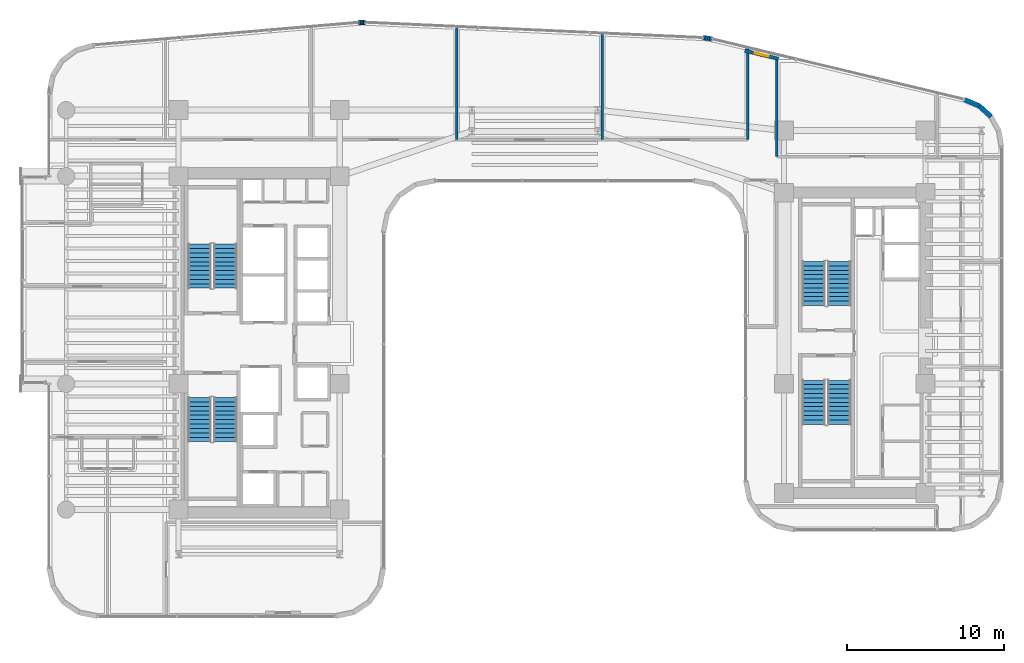
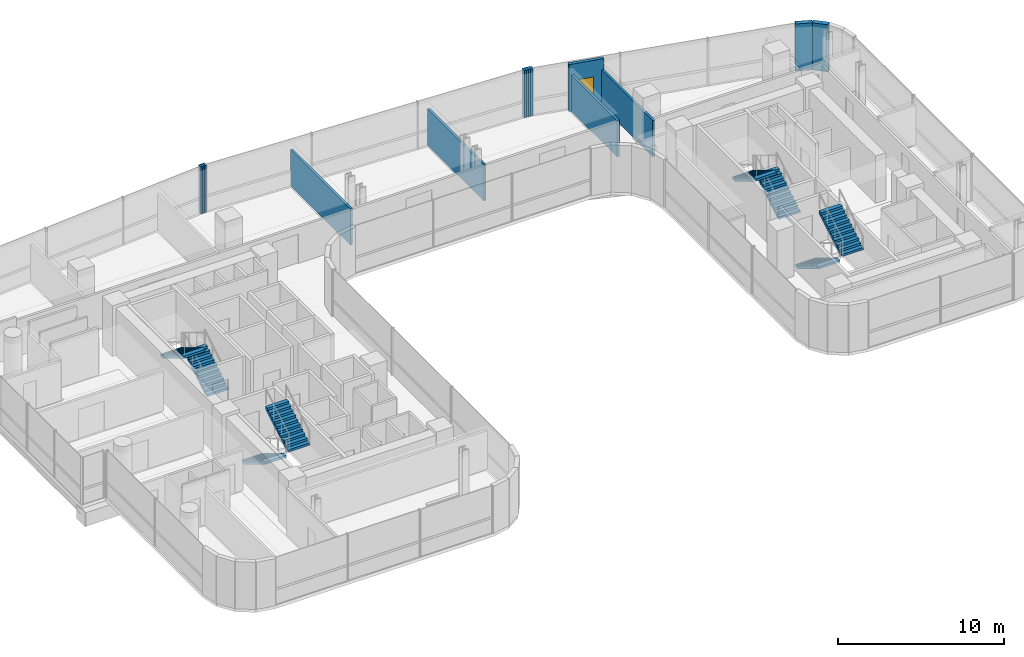
# One storey, part 30 of 35: 15 walls, 8 stair flights, 1 window, 1 opening, 4 elements without a shape of their own.
"""IFC4 building model written with IfcOpenShell, lengths in metres."""

from ifc_helpers import new_model, si_unit, direction, frame, frame_2d, origin, place, context, subcontext, project, spatial, polyline, rectangle, outline, extrude, material, layer, layer_set, type_object, element, fill, aggregate, save


model = new_model("IFC4")

# Units and contexts
model_context = context("Model", 3, precision=1e-05, world=origin(), true_north=direction((0.0, 1.0)))
body_context = subcontext(model_context, "Body", "Model", "MODEL_VIEW")
ifc_project = project(units=[si_unit("LENGTHUNIT", "METRE"), si_unit("AREAUNIT", "SQUARE_METRE"), si_unit("VOLUMEUNIT", "CUBIC_METRE"), si_unit("PLANEANGLEUNIT", "RADIAN"), si_unit("MASSUNIT", "GRAM", prefix="KILO")], contexts=[model_context])

# Site, building, storey
site_placement = place(None, origin())
site = spatial("IfcSite", under=ifc_project, at=site_placement, CompositionType="ELEMENT")
building_placement = place(site_placement, origin())
building = spatial("IfcBuilding", under=site, at=building_placement, Name="Valdorenza Pilgrim Sanctuary Tower", CompositionType="ELEMENT")
storey_placement = place(building_placement, frame((0.0, 0.0, 139.0)))
storey = spatial("IfcBuildingStorey", under=building, at=storey_placement, Name="L35", CompositionType="ELEMENT", Elevation=139.0)

# Walls
ifc_material_1 = material(Name="Acoustic twin-stud gypsum partition", Category="gypsum")
ifc_layer_1 = layer(ifc_material_1, 0.159912109375, Name="Acoustic twin-stud gypsum partition")
ifc_layer_set_1 = layer_set([ifc_layer_1], Name="Acoustic twin-stud gypsum partition")
wall_type_1 = type_object("IfcWallType", Name="WAL-COR-160", PredefinedType="PARTITIONING", material=ifc_layer_set_1)
wall_1_placement = place(storey_placement, frame((13.550048828125, 12.919921875, 0.0), z_axis=(0.0, 0.0, 1.0), x_axis=(0.0, 1.0, 0.0)))
element("IfcWall", 1, at=wall_1_placement, inside=storey, type_object=wall_type_1, Name="L35 North Band East Closure", PredefinedType="PARTITIONING", context=body_context, shape_type="SweptSolid", body=[
    extrude(rectangle(XDim=5.856689453125, YDim=0.159912109375, at=frame_2d((2.92822265625, 0.0))), origin(), (0.0, 0.0, 1.0), 2.666015625),
])
wall_2_placement = place(storey_placement, frame((15.39990234375, 11.85009765625, 0.0), z_axis=(0.0, 0.0, 1.0), x_axis=(0.0, 1.0, 0.0)))
element("IfcWall", 2, at=wall_2_placement, inside=storey, type_object=wall_type_1, Name="L35 Wing B North West Wall", PredefinedType="PARTITIONING", context=body_context, shape_type="SweptSolid", body=[
    extrude(rectangle(XDim=6.14990234375, YDim=0.159912109375, at=frame_2d((3.074951171875, 0.0))), origin(), (0.0, 0.0, 1.0), 2.666015625),
])
ifc_material_2 = material(Name="Honed travertine limestone", Category="masonry")
ifc_layer_2 = layer(ifc_material_2, 0.300048828125, Name="Honed travertine limestone")
ifc_layer_set_2 = layer_set([ifc_layer_2], Name="Honed travertine limestone")
wall_type_2 = type_object("IfcWallType", Name="WAL-EXT-300", PredefinedType="SOLIDWALL", material=ifc_layer_set_2)
wall_3_placement = place(storey_placement, frame((-11.199462890625, 20.37255859375, 0.0), z_axis=(0.0, 0.0, 1.0), x_axis=(0.997567332166, 0.069709524416, 0.0)))
element("IfcWall", 3, at=wall_3_placement, inside=storey, type_object=wall_type_2, Name="L35 Rounded Wind-Corner Stone Pier 7", PredefinedType="SOLIDWALL", context=body_context, shape_type="SweptSolid", body=[
    extrude(rectangle(XDim=0.1015625, YDim=0.300048828125, at=frame_2d((0.05078125, 0.0))), origin(), (0.0, 0.0, 1.0), 3.4599609375),
])
wall_4_placement = place(storey_placement, frame((-11.09814453125, 20.379638671875, 0.0), z_axis=(0.0, 0.0, 1.0), x_axis=(0.999334672785, 0.03647206835, 0.0)))
element("IfcWall", 4, at=wall_4_placement, inside=storey, type_object=wall_type_2, Name="L35 Rounded Wind-Corner Stone Pier 8", PredefinedType="SOLIDWALL", context=body_context, shape_type="SweptSolid", body=[
    extrude(rectangle(XDim=0.100341796875, YDim=0.300048828125, at=frame_2d((0.05029296875, 0.0))), origin(), (0.0, 0.0, 1.0), 3.4599609375),
])
wall_5_placement = place(storey_placement, frame((-10.997802734375, 20.38330078125, 0.0), z_axis=(0.0, 0.0, 1.0), x_axis=(0.999997054401, 0.002427177317, 0.0)))
element("IfcWall", 5, at=wall_5_placement, inside=storey, type_object=wall_type_2, Name="L35 Rounded Wind-Corner Stone Pier 9", PredefinedType="SOLIDWALL", context=body_context, shape_type="SweptSolid", body=[
    extrude(rectangle(XDim=0.1005859375, YDim=0.300048828125, at=frame_2d((0.05029296875, 0.0))), origin(), (0.0, 0.0, 1.0), 3.4599609375),
])
wall_6_placement = place(storey_placement, frame((-10.897216796875, 20.383544921875, 0.0), z_axis=(0.0, 0.0, 1.0), x_axis=(0.999584209171, -0.02883415988, 0.0)))
element("IfcWall", 6, at=wall_6_placement, inside=storey, type_object=wall_type_2, Name="L35 Rounded Wind-Corner Stone Pier 10", PredefinedType="SOLIDWALL", context=body_context, shape_type="SweptSolid", body=[
    extrude(rectangle(XDim=0.1015625, YDim=0.300048828125, at=frame_2d((0.05078125, 0.0))), origin(), (0.0, 0.0, 1.0), 3.4599609375),
])
wall_7_placement = place(storey_placement, frame((10.68994140625, 19.404052734375, 0.0), z_axis=(0.0, 0.0, 1.0), x_axis=(0.99758310784, -0.069483400546, 0.0)))
element("IfcWall", 7, at=wall_7_placement, inside=storey, type_object=wall_type_2, Name="L35 Rounded Wind-Corner Stone Pier 12", PredefinedType="SOLIDWALL", context=body_context, shape_type="SweptSolid", body=[
    extrude(rectangle(XDim=0.1474609375, YDim=0.300048828125, at=frame_2d((0.07373046875, 0.0))), origin(), (0.0, 0.0, 1.0), 3.4599609375),
])
for number, where, z_axis, x_axis, name in (
    (8, (10.837158203125, 19.393798828125, 0.0), (0.0, 0.0, 1.0), (0.993173334962, -0.116647874912, 0.0), "L35 Rounded Wind-Corner Stone Pier 13"),
    (9, (10.982666015625, 19.376708984375, 0.0), (0.0, 0.0, 1.0), (0.986573494681, -0.163317909592, 0.0), "L35 Rounded Wind-Corner Stone Pier 14"),
):
    element("IfcWall", number, at=place(storey_placement, frame(where, z_axis=z_axis, x_axis=x_axis)), inside=storey, type_object=wall_type_2, Name=name, PredefinedType="SOLIDWALL", context=body_context, shape_type="SweptSolid", body=[
        extrude(rectangle(XDim=0.146484375, YDim=0.300048828125, at=frame_2d((0.0732421875, 0.0))), origin(), (0.0, 0.0, 1.0), 3.4599609375),
    ])
wall_8_placement = place(storey_placement, frame((11.127197265625, 19.352783203125, 0.0), z_axis=(0.0, 0.0, 1.0), x_axis=(0.978019841688, -0.208511844421, 0.0)))
element("IfcWall", 10, at=wall_8_placement, inside=storey, type_object=wall_type_2, Name="L35 Rounded Wind-Corner Stone Pier 15", PredefinedType="SOLIDWALL", context=body_context, shape_type="SweptSolid", body=[
    extrude(rectangle(XDim=0.1474609375, YDim=0.300048828125, at=frame_2d((0.07373046875, 0.0))), origin(), (0.0, 0.0, 1.0), 3.4599609375),
])

# Wall, opening, window
wall_9_placement = place(storey_placement, frame((13.355224609375, 18.576416015625, 0.0), z_axis=(0.0, 0.0, 1.0), x_axis=(0.97252211384, -0.232810519721, 0.0)))
wall_9 = element("IfcWall", 11, at=wall_9_placement, inside=storey, type_object=wall_type_2, Name="L35 Operable Ventilation Sash Jamb Pier", PredefinedType="SOLIDWALL", context=body_context, shape_type="SweptSolid", body=[
    extrude(rectangle(XDim=2.2001953125, YDim=0.219970703125, at=frame_2d((1.10009765625, 0.0))), origin(), (0.0, 0.0, 1.0), 3.4599609375),
])
opening_placement = place(wall_9_placement, frame((0.64990234375, 0.0, 0.949951171875)))
opening = element("IfcOpeningElement", 12, at=opening_placement, cuts=wall_9, Name="Opening WN-OP1", PredefinedType="OPENING", context=body_context, shape_type="SweptSolid", body=[
    extrude(rectangle(XDim=0.89990234375, YDim=1.300048828125, at=frame_2d((0.449951171875, 0.64990234375))), frame((0.0, 0.125, 0.0), z_axis=(0.0, -1.0, 0.0), x_axis=(1.0, 0.0, 0.0)), (0.0, 0.0, 1.0), 0.249755859375),
])
ifc_material_3 = material(Name="Ceramic-fritted low-E IGU glazing", Category="glass")
window_type = type_object("IfcWindowType", Name="WIN-OPN-900", PartitioningType="SINGLE_PANEL", PredefinedType="WINDOW", material=ifc_material_3)
window_placement = place(opening_placement, origin())
window = element("IfcWindow", 13, at=window_placement, inside=storey, type_object=window_type, Name="L35 Parallel-Pop-Out Operable Facade Panel", OverallHeight=1.300048828125, OverallWidth=0.89990234375, PartitioningType="SINGLE_PANEL", PredefinedType="WINDOW", context=body_context, shape_type="SweptSolid", body=[
    extrude(rectangle(XDim=0.89990234375, YDim=1.300048828125, at=frame_2d((0.449951171875, 0.64990234375))), frame((0.0, 0.030029296875, 0.0), z_axis=(0.0, -1.0, 0.0), x_axis=(1.0, 0.0, 0.0)), (0.0, 0.0, 1.0), 0.06005859375),
])
fill(opening, window)

# Walls
wall_10_placement = place(storey_placement, frame((27.310302734375, 15.48291015625, 0.0), z_axis=(0.0, 0.0, 1.0), x_axis=(0.920250328759, -0.391330208927, 0.0)))
element("IfcWall", 14, at=wall_10_placement, inside=storey, type_object=wall_type_2, Name="L35 Rounded Wind-Corner Stone Pier 17", PredefinedType="SOLIDWALL", context=body_context, shape_type="SweptSolid", body=[
    extrude(rectangle(XDim=1.0361328125, YDim=0.300048828125, at=frame_2d((0.51806640625, 0.0))), origin(), (0.0, 0.0, 1.0), 3.4599609375),
])
wall_11_placement = place(storey_placement, frame((28.263916015625, 15.077392578125, 0.0), z_axis=(0.0, 0.0, 1.0), x_axis=(0.741208839713, -0.671274501178, 0.0)))
element("IfcWall", 15, at=wall_11_placement, inside=storey, type_object=wall_type_2, Name="L35 Rounded Wind-Corner Stone Pier 18", PredefinedType="SOLIDWALL", context=body_context, shape_type="SweptSolid", body=[
    extrude(rectangle(XDim=1.0263671875, YDim=0.300048828125, at=frame_2d((0.51318359375, 0.0))), origin(), (0.0, 0.0, 1.0), 3.4599609375),
])
ifc_layer_3 = layer(ifc_material_1, 0.14990234375, Name="Acoustic twin-stud gypsum partition")
ifc_layer_set_3 = layer_set([ifc_layer_3], Name="Acoustic twin-stud gypsum partition")
wall_type_3 = type_object("IfcWallType", Name="WAL-UNT-150", PredefinedType="PARTITIONING", material=ifc_layer_set_3)
wall_12_placement = place(storey_placement, frame((-4.966064453125, 12.919921875, 0.0), z_axis=(0.0, 0.0, 1.0), x_axis=(0.0, 1.0, 0.0)))
element("IfcWall", 16, at=wall_12_placement, inside=storey, type_object=wall_type_3, Name="L35 Theological Seminar Classroom L35-N4 Demising Wall", PredefinedType="PARTITIONING", context=body_context, shape_type="SweptSolid", body=[
    extrude(rectangle(XDim=7.195556640625, YDim=0.14990234375, at=frame_2d((3.59765625, 0.0))), origin(), (0.0, 0.0, 1.0), 2.666015625),
])
wall_13_placement = place(storey_placement, frame((4.2919921875, 12.919921875, 0.0), z_axis=(0.0, 0.0, 1.0), x_axis=(0.0, 1.0, 0.0)))
element("IfcWall", 17, at=wall_13_placement, inside=storey, type_object=wall_type_3, Name="L35 Theological Seminar Classroom L35-N5 Demising Wall", PredefinedType="PARTITIONING", context=body_context, shape_type="SweptSolid", body=[
    extrude(rectangle(XDim=6.77490234375, YDim=0.14990234375, at=frame_2d((3.387451171875, 0.0))), origin(), (0.0, 0.0, 1.0), 2.666015625),
])

# Stair, stair flights
ifc_material_4 = material(Name="Concrete C40/50", Category="concrete")
stair_type = type_object("IfcStairType", Name="STR-DOG-CORE", PredefinedType="HALF_TURN_STAIR", material=ifc_material_4)
stair_1_placement = place(storey_placement, origin())
stair_1 = element("IfcStair", 18, at=stair_1_placement, inside=storey, type_object=stair_type, Name="L35 ST-A1", PredefinedType="HALF_TURN_STAIR")
stair_flight_type = type_object("IfcStairFlightType", Name="STF-RC-1400", PredefinedType="STRAIGHT", material=ifc_material_4)
stair_flight_1_placement = place(storey_placement, frame((-19.679931640625, 3.47998046875, 0.0), z_axis=(0.0, 0.0, 1.0), x_axis=(0.0, 1.0, 0.0)))
stair_flight_1 = element("IfcStairFlight", 19, at=stair_flight_1_placement, type_object=stair_flight_type, Name="ST-A1 flight 1", NumberOfRisers=11, NumberOfTreads=10, PredefinedType="STRAIGHT", RiserHeight=0.168181818, TreadLength=0.28, context=body_context, shape_type="SweptSolid", body=[
    extrude(outline(polyline([(0.0, 0.0), (0.0, 0.168212890625), (0.280029296875, 0.168212890625), (0.280029296875, 0.33642578125), (0.56005859375, 0.33642578125), (0.56005859375, 0.504638671875), (0.840087890625, 0.504638671875), (0.840087890625, 0.672607421875), (1.1201171875, 0.672607421875), (1.1201171875, 0.8408203125), (1.39990234375, 0.8408203125), (1.39990234375, 1.009033203125), (1.679931640625, 1.009033203125), (1.679931640625, 1.17724609375), (1.9599609375, 1.17724609375), (1.9599609375, 1.345458984375), (2.239990234375, 1.345458984375), (2.239990234375, 1.513671875), (2.52001953125, 1.513671875), (2.52001953125, 1.681884765625), (2.800048828125, 1.681884765625), (2.800048828125, 1.85009765625), (2.800048828125, 1.5068359375), (0.291015625, 0.0), (0.0, 0.0)])), frame((0.0, 0.739990234375, 0.0), z_axis=(0.0, -1.0, 0.0), x_axis=(1.0, 0.0, 0.0)), (0.0, 0.0, 1.0), 1.47998046875),
])
stair_flight_2_placement = place(storey_placement, frame((-21.31005859375, 6.280029296875, 1.85009765625), z_axis=(0.0, 0.0, 1.0), x_axis=(0.0, -1.0, 0.0)))
stair_flight_2 = element("IfcStairFlight", 20, at=stair_flight_2_placement, type_object=stair_flight_type, Name="ST-A1 flight 2", NumberOfRisers=11, NumberOfTreads=10, PredefinedType="STRAIGHT", RiserHeight=0.168181818, TreadLength=0.28, context=body_context, shape_type="SweptSolid", body=[
    extrude(outline(polyline([(0.0, 0.0), (0.0, 0.168212890625), (0.280029296875, 0.168212890625), (0.280029296875, 0.33642578125), (0.56005859375, 0.33642578125), (0.56005859375, 0.504638671875), (0.840087890625, 0.504638671875), (0.840087890625, 0.672607421875), (1.1201171875, 0.672607421875), (1.1201171875, 0.8408203125), (1.39990234375, 0.8408203125), (1.39990234375, 1.009033203125), (1.679931640625, 1.009033203125), (1.679931640625, 1.17724609375), (1.9599609375, 1.17724609375), (1.9599609375, 1.345458984375), (2.239990234375, 1.345458984375), (2.239990234375, 1.513671875), (2.52001953125, 1.513671875), (2.52001953125, 1.681884765625), (2.800048828125, 1.681884765625), (2.800048828125, 1.85009765625), (2.800048828125, 1.5068359375), (0.291015625, 0.0), (0.0, 0.0)])), frame((0.0, 0.739990234375, 0.0), z_axis=(0.0, -1.0, 0.0), x_axis=(1.0, 0.0, 0.0)), (0.0, 0.0, 1.0), 1.47998046875),
])
aggregate(stair_1, [stair_flight_1, stair_flight_2])

stair_2_placement = place(storey_placement, origin())
stair_2 = element("IfcStair", 21, at=stair_2_placement, inside=storey, type_object=stair_type, Name="L35 ST-A2", PredefinedType="HALF_TURN_STAIR")
stair_flight_3_placement = place(storey_placement, frame((-21.31005859375, -3.47998046875, 0.0), z_axis=(0.0, 0.0, 1.0), x_axis=(0.0, -1.0, 0.0)))
stair_flight_3 = element("IfcStairFlight", 22, at=stair_flight_3_placement, type_object=stair_flight_type, Name="ST-A2 flight 1", NumberOfRisers=11, NumberOfTreads=10, PredefinedType="STRAIGHT", RiserHeight=0.168181818, TreadLength=0.28, context=body_context, shape_type="SweptSolid", body=[
    extrude(outline(polyline([(0.0, 0.0), (0.0, 0.168212890625), (0.280029296875, 0.168212890625), (0.280029296875, 0.33642578125), (0.56005859375, 0.33642578125), (0.56005859375, 0.504638671875), (0.840087890625, 0.504638671875), (0.840087890625, 0.672607421875), (1.1201171875, 0.672607421875), (1.1201171875, 0.8408203125), (1.39990234375, 0.8408203125), (1.39990234375, 1.009033203125), (1.679931640625, 1.009033203125), (1.679931640625, 1.17724609375), (1.9599609375, 1.17724609375), (1.9599609375, 1.345458984375), (2.239990234375, 1.345458984375), (2.239990234375, 1.513671875), (2.52001953125, 1.513671875), (2.52001953125, 1.681884765625), (2.800048828125, 1.681884765625), (2.800048828125, 1.85009765625), (2.800048828125, 1.5068359375), (0.291015625, 0.0), (0.0, 0.0)])), frame((0.0, 0.739990234375, 0.0), z_axis=(0.0, -1.0, 0.0), x_axis=(1.0, 0.0, 0.0)), (0.0, 0.0, 1.0), 1.47998046875),
])
stair_flight_4_placement = place(storey_placement, frame((-19.679931640625, -6.280029296875, 1.85009765625), z_axis=(0.0, 0.0, 1.0), x_axis=(0.0, 1.0, 0.0)))
stair_flight_4 = element("IfcStairFlight", 23, at=stair_flight_4_placement, type_object=stair_flight_type, Name="ST-A2 flight 2", NumberOfRisers=11, NumberOfTreads=10, PredefinedType="STRAIGHT", RiserHeight=0.168181818, TreadLength=0.28, context=body_context, shape_type="SweptSolid", body=[
    extrude(outline(polyline([(0.0, 0.0), (0.0, 0.168212890625), (0.280029296875, 0.168212890625), (0.280029296875, 0.33642578125), (0.56005859375, 0.33642578125), (0.56005859375, 0.504638671875), (0.840087890625, 0.504638671875), (0.840087890625, 0.672607421875), (1.1201171875, 0.672607421875), (1.1201171875, 0.8408203125), (1.39990234375, 0.8408203125), (1.39990234375, 1.009033203125), (1.679931640625, 1.009033203125), (1.679931640625, 1.17724609375), (1.9599609375, 1.17724609375), (1.9599609375, 1.345458984375), (2.239990234375, 1.345458984375), (2.239990234375, 1.513671875), (2.52001953125, 1.513671875), (2.52001953125, 1.681884765625), (2.800048828125, 1.681884765625), (2.800048828125, 1.85009765625), (2.800048828125, 1.5068359375), (0.291015625, 0.0), (0.0, 0.0)])), frame((0.0, 0.739990234375, 0.0), z_axis=(0.0, -1.0, 0.0), x_axis=(1.0, 0.0, 0.0)), (0.0, 0.0, 1.0), 1.47998046875),
])
aggregate(stair_2, [stair_flight_3, stair_flight_4])

stair_3_placement = place(storey_placement, origin())
stair_3 = element("IfcStair", 24, at=stair_3_placement, inside=storey, type_object=stair_type, Name="L35 ST-B1", PredefinedType="HALF_TURN_STAIR")
stair_flight_5_placement = place(storey_placement, frame((19.3701171875, 2.3798828125, 0.0), z_axis=(0.0, 0.0, 1.0), x_axis=(0.0, 1.0, 0.0)))
stair_flight_5 = element("IfcStairFlight", 25, at=stair_flight_5_placement, type_object=stair_flight_type, Name="ST-B1 flight 1", NumberOfRisers=11, NumberOfTreads=10, PredefinedType="STRAIGHT", RiserHeight=0.168181818, TreadLength=0.28, context=body_context, shape_type="SweptSolid", body=[
    extrude(outline(polyline([(0.0, 0.0), (0.0, 0.168212890625), (0.280029296875, 0.168212890625), (0.280029296875, 0.33642578125), (0.56005859375, 0.33642578125), (0.56005859375, 0.504638671875), (0.840087890625, 0.504638671875), (0.840087890625, 0.672607421875), (1.1201171875, 0.672607421875), (1.1201171875, 0.8408203125), (1.39990234375, 0.8408203125), (1.39990234375, 1.009033203125), (1.679931640625, 1.009033203125), (1.679931640625, 1.17724609375), (1.9599609375, 1.17724609375), (1.9599609375, 1.345458984375), (2.239990234375, 1.345458984375), (2.239990234375, 1.513671875), (2.52001953125, 1.513671875), (2.52001953125, 1.681884765625), (2.800048828125, 1.681884765625), (2.800048828125, 1.85009765625), (2.800048828125, 1.5068359375), (0.291015625, 0.0), (0.0, 0.0)])), frame((0.0, 0.739990234375, 0.0), z_axis=(0.0, -1.0, 0.0), x_axis=(1.0, 0.0, 0.0)), (0.0, 0.0, 1.0), 1.47998046875),
])
stair_flight_6_placement = place(storey_placement, frame((17.739990234375, 5.179931640625, 1.85009765625), z_axis=(0.0, 0.0, 1.0), x_axis=(0.0, -1.0, 0.0)))
stair_flight_6 = element("IfcStairFlight", 26, at=stair_flight_6_placement, type_object=stair_flight_type, Name="ST-B1 flight 2", NumberOfRisers=11, NumberOfTreads=10, PredefinedType="STRAIGHT", RiserHeight=0.168181818, TreadLength=0.28, context=body_context, shape_type="SweptSolid", body=[
    extrude(outline(polyline([(0.0, 0.0), (0.0, 0.168212890625), (0.280029296875, 0.168212890625), (0.280029296875, 0.33642578125), (0.56005859375, 0.33642578125), (0.56005859375, 0.504638671875), (0.840087890625, 0.504638671875), (0.840087890625, 0.672607421875), (1.1201171875, 0.672607421875), (1.1201171875, 0.8408203125), (1.39990234375, 0.8408203125), (1.39990234375, 1.009033203125), (1.679931640625, 1.009033203125), (1.679931640625, 1.17724609375), (1.9599609375, 1.17724609375), (1.9599609375, 1.345458984375), (2.239990234375, 1.345458984375), (2.239990234375, 1.513671875), (2.52001953125, 1.513671875), (2.52001953125, 1.681884765625), (2.800048828125, 1.681884765625), (2.800048828125, 1.85009765625), (2.800048828125, 1.5068359375), (0.291015625, 0.0), (0.0, 0.0)])), frame((0.0, 0.739990234375, 0.0), z_axis=(0.0, -1.0, 0.0), x_axis=(1.0, 0.0, 0.0)), (0.0, 0.0, 1.0), 1.47998046875),
])
aggregate(stair_3, [stair_flight_5, stair_flight_6])

stair_4_placement = place(storey_placement, origin())
stair_4 = element("IfcStair", 27, at=stair_4_placement, inside=storey, type_object=stair_type, Name="L35 ST-B2", PredefinedType="HALF_TURN_STAIR")
stair_flight_7_placement = place(storey_placement, frame((17.739990234375, -2.3798828125, 0.0), z_axis=(0.0, 0.0, 1.0), x_axis=(0.0, -1.0, 0.0)))
stair_flight_7 = element("IfcStairFlight", 28, at=stair_flight_7_placement, type_object=stair_flight_type, Name="ST-B2 flight 1", NumberOfRisers=11, NumberOfTreads=10, PredefinedType="STRAIGHT", RiserHeight=0.168181818, TreadLength=0.28, context=body_context, shape_type="SweptSolid", body=[
    extrude(outline(polyline([(0.0, 0.0), (0.0, 0.168212890625), (0.280029296875, 0.168212890625), (0.280029296875, 0.33642578125), (0.56005859375, 0.33642578125), (0.56005859375, 0.504638671875), (0.840087890625, 0.504638671875), (0.840087890625, 0.672607421875), (1.1201171875, 0.672607421875), (1.1201171875, 0.8408203125), (1.39990234375, 0.8408203125), (1.39990234375, 1.009033203125), (1.679931640625, 1.009033203125), (1.679931640625, 1.17724609375), (1.9599609375, 1.17724609375), (1.9599609375, 1.345458984375), (2.239990234375, 1.345458984375), (2.239990234375, 1.513671875), (2.52001953125, 1.513671875), (2.52001953125, 1.681884765625), (2.800048828125, 1.681884765625), (2.800048828125, 1.85009765625), (2.800048828125, 1.5068359375), (0.291015625, 0.0), (0.0, 0.0)])), frame((0.0, 0.739990234375, 0.0), z_axis=(0.0, -1.0, 0.0), x_axis=(1.0, 0.0, 0.0)), (0.0, 0.0, 1.0), 1.47998046875),
])
stair_flight_8_placement = place(storey_placement, frame((19.3701171875, -5.179931640625, 1.85009765625), z_axis=(0.0, 0.0, 1.0), x_axis=(0.0, 1.0, 0.0)))
stair_flight_8 = element("IfcStairFlight", 29, at=stair_flight_8_placement, type_object=stair_flight_type, Name="ST-B2 flight 2", NumberOfRisers=11, NumberOfTreads=10, PredefinedType="STRAIGHT", RiserHeight=0.168181818, TreadLength=0.28, context=body_context, shape_type="SweptSolid", body=[
    extrude(outline(polyline([(0.0, 0.0), (0.0, 0.168212890625), (0.280029296875, 0.168212890625), (0.280029296875, 0.33642578125), (0.56005859375, 0.33642578125), (0.56005859375, 0.504638671875), (0.840087890625, 0.504638671875), (0.840087890625, 0.672607421875), (1.1201171875, 0.672607421875), (1.1201171875, 0.8408203125), (1.39990234375, 0.8408203125), (1.39990234375, 1.009033203125), (1.679931640625, 1.009033203125), (1.679931640625, 1.17724609375), (1.9599609375, 1.17724609375), (1.9599609375, 1.345458984375), (2.239990234375, 1.345458984375), (2.239990234375, 1.513671875), (2.52001953125, 1.513671875), (2.52001953125, 1.681884765625), (2.800048828125, 1.681884765625), (2.800048828125, 1.85009765625), (2.800048828125, 1.5068359375), (0.291015625, 0.0), (0.0, 0.0)])), frame((0.0, 0.739990234375, 0.0), z_axis=(0.0, -1.0, 0.0), x_axis=(1.0, 0.0, 0.0)), (0.0, 0.0, 1.0), 1.47998046875),
])
aggregate(stair_4, [stair_flight_7, stair_flight_8])

save(model, "model.ifc")
